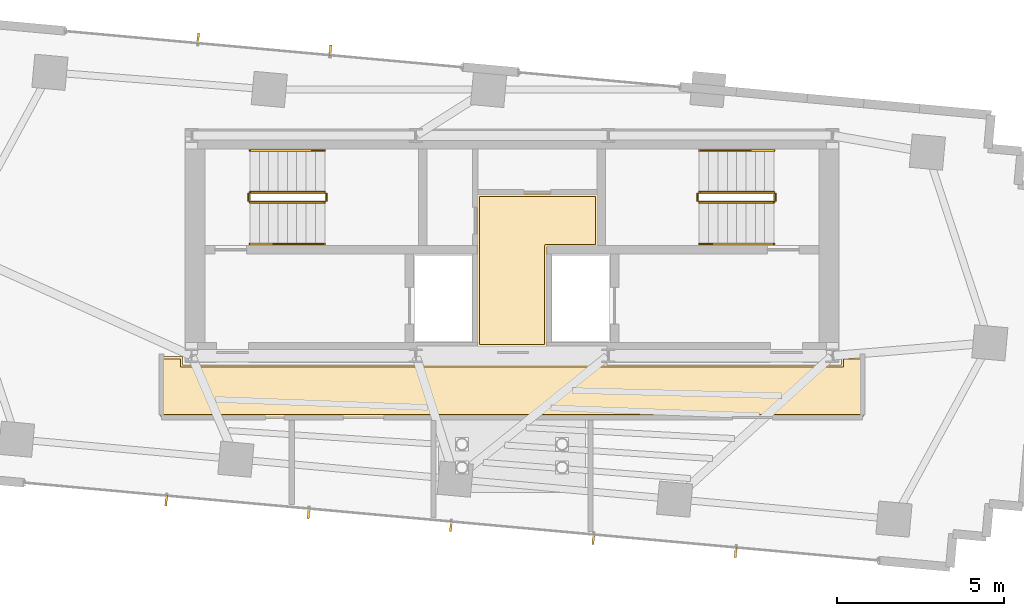
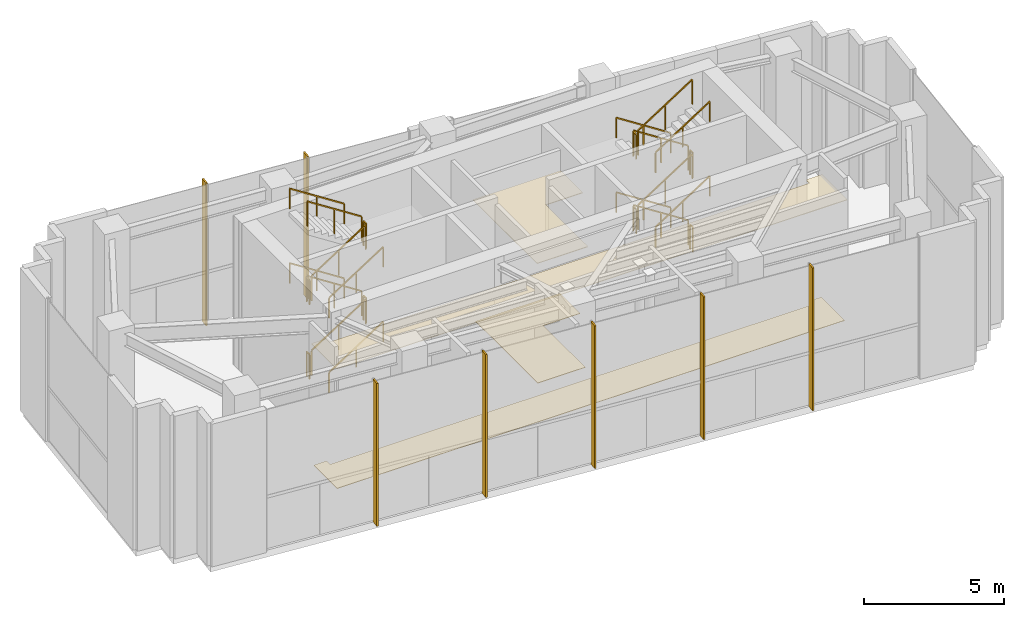
# One storey, part 14 of 14: 24 railings, 7 shading devices, 4 coverings.
"""IFC4 building model written with IfcOpenShell, lengths in metres."""

from ifc_helpers import new_model, si_unit, direction, frame, origin, origin_2d, place, context, subcontext, project, spatial, polyline, rectangle, outline, extrude, source, transform, mapped, material, layer, layer_set, type_object, type_shapes, element, save


model = new_model("IFC4")

# Units and contexts
model_context = context("Model", 3, precision=1e-05, world=origin(), true_north=direction((0.0, 1.0)))
body_context = subcontext(model_context, "Body", "Model", "MODEL_VIEW")
ifc_project = project(units=[si_unit("LENGTHUNIT", "METRE"), si_unit("AREAUNIT", "SQUARE_METRE"), si_unit("VOLUMEUNIT", "CUBIC_METRE"), si_unit("PLANEANGLEUNIT", "RADIAN"), si_unit("MASSUNIT", "GRAM", prefix="KILO")], contexts=[model_context])

# Site, building, storey
site_placement = place(None, origin())
site = spatial("IfcSite", under=ifc_project, at=site_placement, CompositionType="ELEMENT")
building_placement = place(site_placement, origin())
building = spatial("IfcBuilding", under=site, at=building_placement, Name="Astriad Promenade Condominiums", CompositionType="ELEMENT")
storey_placement = place(building_placement, frame((0.0, 0.0, 270.800048828125)))
storey = spatial("IfcBuildingStorey", under=building, at=storey_placement, Name="L77", CompositionType="ELEMENT", Elevation=270.800048828125)

# Coverings
ifc_material_1 = material(Name="Mineral-Fibre Acoustic Ceiling Tile")
ifc_layer_1 = layer(ifc_material_1, 0.02490234375)
ifc_layer_set_1 = layer_set([ifc_layer_1], Name="Mineral-Fibre Acoustic Ceiling Tile")
covering_type_1 = type_object("IfcCoveringType", Name="COV-CEIL-ACOUSTIC-25", PredefinedType="CEILING", material=ifc_layer_set_1)
covering_1_placement = place(storey_placement, frame((0.0, 0.0, 5.27490234375)))
element("IfcCovering", 1, at=covering_1_placement, inside=storey, type_object=covering_type_1, Name="CEIL-L77-CSL", PredefinedType="CEILING", context=body_context, shape_type="SweptSolid", body=[
    extrude(outline(polyline([(37.050048828125, 17.699951171875), (37.0498046875, 17.697021484375), (37.04931640625, 17.694091796875), (37.048583984375, 17.69140625), (37.047607421875, 17.6884765625), (37.04638671875, 17.685791015625), (37.044921875, 17.683349609375), (37.043212890625, 17.680908203125), (37.041259765625, 17.6787109375), (37.0390625, 17.6767578125), (37.03662109375, 17.675048828125), (37.0341796875, 17.673583984375), (37.031494140625, 17.67236328125), (37.02880859375, 17.67138671875), (37.02587890625, 17.670654296875), (37.02294921875, 17.670166015625), (37.02001953125, 17.669921875), (34.97998046875, 17.669921875), (34.97705078125, 17.670166015625), (34.97412109375, 17.670654296875), (34.97119140625, 17.67138671875), (34.968505859375, 17.67236328125), (34.9658203125, 17.673583984375), (34.96337890625, 17.675048828125), (34.9609375, 17.6767578125), (34.958740234375, 17.6787109375), (34.956787109375, 17.680908203125), (34.955078125, 17.683349609375), (34.95361328125, 17.685791015625), (34.952392578125, 17.6884765625), (34.951416015625, 17.69140625), (34.95068359375, 17.694091796875), (34.9501953125, 17.697021484375), (34.949951171875, 17.699951171875), (34.949951171875, 22.219970703125), (34.9501953125, 22.222900390625), (34.95068359375, 22.225830078125), (34.951416015625, 22.228759765625), (34.952392578125, 22.2314453125), (34.95361328125, 22.234130859375), (34.955078125, 22.23681640625), (34.956787109375, 22.239013671875), (34.958740234375, 22.2412109375), (34.9609375, 22.2431640625), (34.96337890625, 22.244873046875), (34.9658203125, 22.24658203125), (34.968505859375, 22.247802734375), (34.97119140625, 22.248779296875), (34.97412109375, 22.24951171875), (34.97705078125, 22.25), (34.97998046875, 22.25), (38.5400390625, 22.25), (38.54296875, 22.25), (38.5458984375, 22.24951171875), (38.548583984375, 22.248779296875), (38.551513671875, 22.247802734375), (38.55419921875, 22.24658203125), (38.556640625, 22.244873046875), (38.55908203125, 22.2431640625), (38.561279296875, 22.2412109375), (38.563232421875, 22.239013671875), (38.56494140625, 22.23681640625), (38.56640625, 22.234130859375), (38.567626953125, 22.2314453125), (38.568603515625, 22.228759765625), (38.5693359375, 22.225830078125), (38.56982421875, 22.222900390625), (38.570068359375, 22.219970703125), (38.570068359375, 20.699951171875), (38.56982421875, 20.697021484375), (38.5693359375, 20.694091796875), (38.568603515625, 20.69140625), (38.567626953125, 20.6884765625), (38.56640625, 20.685791015625), (38.56494140625, 20.683349609375), (38.563232421875, 20.680908203125), (38.561279296875, 20.6787109375), (38.55908203125, 20.6767578125), (38.556640625, 20.675048828125), (38.55419921875, 20.673583984375), (38.551513671875, 20.67236328125), (38.548583984375, 20.67138671875), (38.5458984375, 20.670654296875), (38.54296875, 20.670166015625), (38.5400390625, 20.669921875), (37.050048828125, 20.669921875), (37.050048828125, 17.699951171875)])), origin(), (0.0, 0.0, 1.0), 0.025146484375),
])
covering_2_placement = place(storey_placement, frame((0.0, 0.0, 5.27490234375)))
element("IfcCovering", 2, at=covering_2_placement, inside=storey, type_object=covering_type_1, Name="CEIL-L77-COR", PredefinedType="CEILING", context=body_context, shape_type="SweptSolid", body=[
    extrude(outline(polyline([(26.1298828125, 17.1298828125), (45.8701171875, 17.1298828125), (45.8701171875, 17.35009765625), (45.8701171875, 17.352783203125), (45.87060546875, 17.35595703125), (45.871337890625, 17.358642578125), (45.872314453125, 17.361572265625), (45.87353515625, 17.364013671875), (45.875, 17.36669921875), (45.876708984375, 17.368896484375), (45.87890625, 17.37109375), (45.881103515625, 17.373291015625), (45.88330078125, 17.375), (45.885986328125, 17.37646484375), (45.888427734375, 17.377685546875), (45.891357421875, 17.378662109375), (45.89404296875, 17.37939453125), (45.897216796875, 17.3798828125), (45.89990234375, 17.3798828125), (46.5, 17.3798828125), (46.5029296875, 17.3798828125), (46.505859375, 17.37939453125), (46.5087890625, 17.378662109375), (46.511474609375, 17.377685546875), (46.51416015625, 17.37646484375), (46.5166015625, 17.375), (46.51904296875, 17.373291015625), (46.521240234375, 17.37109375), (46.523193359375, 17.368896484375), (46.52490234375, 17.36669921875), (46.526611328125, 17.364013671875), (46.527587890625, 17.361572265625), (46.52880859375, 17.358642578125), (46.529296875, 17.35595703125), (46.52978515625, 17.352783203125), (46.530029296875, 17.35009765625), (46.530029296875, 15.60009765625), (46.52978515625, 15.59716796875), (46.529296875, 15.593994140625), (46.52880859375, 15.59130859375), (46.527587890625, 15.58837890625), (46.526611328125, 15.5859375), (46.52490234375, 15.583251953125), (46.523193359375, 15.5810546875), (46.521240234375, 15.578857421875), (46.51904296875, 15.576904296875), (46.5166015625, 15.5751953125), (46.51416015625, 15.573486328125), (46.511474609375, 15.572265625), (46.5087890625, 15.5712890625), (46.505859375, 15.570556640625), (46.5029296875, 15.570068359375), (46.5, 15.570068359375), (25.5, 15.570068359375), (25.4970703125, 15.570068359375), (25.494140625, 15.570556640625), (25.4912109375, 15.5712890625), (25.488525390625, 15.572265625), (25.48583984375, 15.573486328125), (25.4833984375, 15.5751953125), (25.48095703125, 15.576904296875), (25.478759765625, 15.578857421875), (25.476806640625, 15.5810546875), (25.47509765625, 15.583251953125), (25.473388671875, 15.5859375), (25.472412109375, 15.58837890625), (25.47119140625, 15.59130859375), (25.470703125, 15.593994140625), (25.47021484375, 15.59716796875), (25.469970703125, 15.60009765625), (25.469970703125, 17.35009765625), (25.47021484375, 17.352783203125), (25.470703125, 17.35595703125), (25.47119140625, 17.358642578125), (25.472412109375, 17.361572265625), (25.473388671875, 17.364013671875), (25.47509765625, 17.36669921875), (25.476806640625, 17.368896484375), (25.478759765625, 17.37109375), (25.48095703125, 17.373291015625), (25.4833984375, 17.375), (25.48583984375, 17.37646484375), (25.488525390625, 17.377685546875), (25.4912109375, 17.378662109375), (25.494140625, 17.37939453125), (25.4970703125, 17.3798828125), (25.5, 17.3798828125), (26.10009765625, 17.3798828125), (26.102783203125, 17.3798828125), (26.10595703125, 17.37939453125), (26.108642578125, 17.378662109375), (26.111572265625, 17.377685546875), (26.114013671875, 17.37646484375), (26.11669921875, 17.375), (26.118896484375, 17.373291015625), (26.12109375, 17.37109375), (26.123291015625, 17.368896484375), (26.125, 17.36669921875), (26.12646484375, 17.364013671875), (26.127685546875, 17.361572265625), (26.128662109375, 17.358642578125), (26.12939453125, 17.35595703125), (26.1298828125, 17.352783203125), (26.1298828125, 17.35009765625), (26.1298828125, 17.1298828125)])), origin(), (0.0, 0.0, 1.0), 0.025146484375),
])
ifc_material_2 = material(Name="Polished Lakefront Terrazzo Flooring")
ifc_layer_2 = layer(ifc_material_2, 0.02001953125)
ifc_layer_set_2 = layer_set([ifc_layer_2], Name="Polished Lakefront Terrazzo Flooring")
covering_type_2 = type_object("IfcCoveringType", Name="COV-FLOR-TERRAZZO-20", PredefinedType="FLOORING", material=ifc_layer_set_2)
covering_3_placement = place(storey_placement, origin())
element("IfcCovering", 3, at=covering_3_placement, inside=storey, type_object=covering_type_2, Name="FLR-L77-CSL", PredefinedType="FLOORING", context=body_context, shape_type="SweptSolid", body=[
    extrude(outline(polyline([(36.97998046875, 20.699951171875), (36.97998046875, 17.739990234375), (35.02001953125, 17.739990234375), (35.02001953125, 22.179931640625), (38.5, 22.179931640625), (38.5, 20.739990234375), (37.02001953125, 20.739990234375), (37.01611328125, 20.73974609375), (37.01220703125, 20.7392578125), (37.00830078125, 20.73828125), (37.004638671875, 20.737060546875), (37.001220703125, 20.7353515625), (36.997802734375, 20.7333984375), (36.99462890625, 20.73095703125), (36.99169921875, 20.728271484375), (36.989013671875, 20.725341796875), (36.98681640625, 20.72216796875), (36.984619140625, 20.718994140625), (36.98291015625, 20.71533203125), (36.981689453125, 20.711669921875), (36.980712890625, 20.707763671875), (36.980224609375, 20.703857421875), (36.97998046875, 20.699951171875)])), origin(), (0.0, 0.0, 1.0), 0.02001953125),
])
covering_4_placement = place(storey_placement, origin())
element("IfcCovering", 4, at=covering_4_placement, inside=storey, type_object=covering_type_2, Name="FLR-L77-COR", PredefinedType="FLOORING", context=body_context, shape_type="SweptSolid", body=[
    extrude(outline(polyline([(26.06005859375, 17.31005859375), (26.06005859375, 17.10009765625), (26.060302734375, 17.09619140625), (26.060791015625, 17.09228515625), (26.061767578125, 17.08837890625), (26.06298828125, 17.084716796875), (26.064697265625, 17.0810546875), (26.066650390625, 17.077880859375), (26.069091796875, 17.07470703125), (26.07177734375, 17.07177734375), (26.07470703125, 17.069091796875), (26.077880859375, 17.066650390625), (26.0810546875, 17.064697265625), (26.084716796875, 17.06298828125), (26.08837890625, 17.061767578125), (26.09228515625, 17.060791015625), (26.09619140625, 17.060302734375), (26.10009765625, 17.06005859375), (45.89990234375, 17.06005859375), (45.90380859375, 17.060302734375), (45.90771484375, 17.060791015625), (45.91162109375, 17.061767578125), (45.915283203125, 17.06298828125), (45.9189453125, 17.064697265625), (45.922119140625, 17.066650390625), (45.92529296875, 17.069091796875), (45.92822265625, 17.07177734375), (45.930908203125, 17.07470703125), (45.933349609375, 17.077880859375), (45.935302734375, 17.0810546875), (45.93701171875, 17.084716796875), (45.938232421875, 17.08837890625), (45.939208984375, 17.09228515625), (45.939697265625, 17.09619140625), (45.93994140625, 17.10009765625), (45.93994140625, 17.31005859375), (46.4599609375, 17.31005859375), (46.4599609375, 15.639892578125), (25.5400390625, 15.639892578125), (25.5400390625, 17.31005859375), (26.06005859375, 17.31005859375)])), origin(), (0.0, 0.0, 1.0), 0.02001953125),
])

# Shading devices
ifc_material_3 = material(Name="Anodised aluminium 6063-T6 Black Fin", Category="aluminium")
shading_device_type = type_object("IfcShadingDeviceType", Name="FIN-BLACK-260", PredefinedType="USERDEFINED", material=ifc_material_3)
shared_shape_1 = source(origin(), body_context, "Body", "SweptSolid", [
    extrude(rectangle(XDim=0.06494140625, YDim=0.320068359375, at=origin_2d()), origin(), (0.0, 0.0, 1.0), 6.219970703125),
])
type_shapes(shading_device_type, [shared_shape_1])
for number, where, z_axis, x_axis, name in (
    (5, (26.594970703125, 26.915283203125, 0.0), (0.0, 0.0, 1.0), (0.995884398616, -0.090632580198, 0.0), "CW-LNT-L77-08-1-FIN-01"),
    (6, (30.557861328125, 26.5546875, 0.0), (0.0, 0.0, 1.0), (0.995884398616, -0.090632580198, 0.0), "CW-LNT-L77-08-1-FIN-02"),
    (7, (42.702392578125, 11.51220703125, 0.0), (0.0, 0.0, 1.0), (-0.995884398616, 0.090632580198, 0.0), "CW-LNT-L77-18-1-FIN-01"),
    (8, (38.436767578125, 11.900390625, 0.0), (0.0, 0.0, 1.0), (-0.995884398616, 0.090632580198, 0.0), "CW-LNT-L77-18-1-FIN-02"),
    (9, (34.1708984375, 12.288818359375, 0.0), (0.0, 0.0, 1.0), (-0.995884398616, 0.090632580198, 0.0), "CW-LNT-L77-18-1-FIN-03"),
    (10, (29.9052734375, 12.677001953125, 0.0), (0.0, 0.0, 1.0), (-0.995884398616, 0.090632580198, 0.0), "CW-LNT-L77-18-1-FIN-04"),
    (11, (25.639404296875, 13.065185546875, 0.0), (0.0, 0.0, 1.0), (-0.995884398616, 0.090632580198, 0.0), "CW-LNT-L77-18-1-FIN-05"),
):
    element("IfcShadingDevice", number, at=place(storey_placement, frame(where, z_axis=z_axis, x_axis=x_axis)), inside=storey, type_object=shading_device_type, Name=name, ObjectType="FIN", PredefinedType="USERDEFINED", context=body_context, shape_type="MappedRepresentation", body=[
        mapped(shared_shape_1, transform((0.0, 0.0, 0.0), scale=1.0)),
    ])

# Railings
ifc_material_4 = material(Name="Painted Galvanised Steel Guardrail", Category="steel")
railing_type_1 = type_object("IfcRailingType", Name="GRD-STAIR-1100", PredefinedType="GUARDRAIL", material=ifc_material_4)
shared_shape_2 = source(origin(), body_context, "Body", "SweptSolid", [
    extrude(rectangle(XDim=0.048095703125, YDim=0.048095703125, at=origin_2d()), frame((0.0, 0.0, 1.076171875), z_axis=(0.0, 1.0, 0.0), x_axis=(-1.0, 0.0, 0.0)), (0.0, 0.0, 1.0), 0.199951171875),
    extrude(rectangle(XDim=0.0419921875, YDim=0.0419921875, at=origin_2d()), origin(), (0.0, 0.0, 1.0), 1.052001953125),
    extrude(rectangle(XDim=0.0419921875, YDim=0.0419921875, at=origin_2d()), frame((0.0, 0.199951171875, 0.0)), (0.0, 0.0, 1.0), 1.052001953125),
])
for number, where, name in (
    (12, (30.43994140625, 22.050048828125, 1.625), "L77 ST-1 stair guard 2"),
    (13, (28.10009765625, 22.050048828125, 3.25), "L77 ST-1 stair guard 4"),
    (14, (30.43994140625, 22.050048828125, 4.875), "L77 ST-1 stair guard 6"),
    (15, (28.10009765625, 22.050048828125, 0.0), "L77 ST-1 stair guard 8"),
):
    element("IfcRailing", number, at=place(storey_placement, frame(where)), inside=storey, type_object=railing_type_1, Name=name, PredefinedType="GUARDRAIL", context=body_context, shape_type="MappedRepresentation", body=[
        mapped(shared_shape_2, transform((0.0, 0.0, 0.0), scale=1.0)),
    ])
shared_shape_3 = source(origin(), body_context, "Body", "SweptSolid", [
    extrude(rectangle(XDim=0.048095703125, YDim=0.048095703125, at=origin_2d()), frame((0.0, 0.0, 1.076171875), z_axis=(0.840394893359, 0.0, 0.541974559565), x_axis=(0.0, 1.0, 0.0)), (0.0, 0.0, 1.0), 2.665283203125),
    extrude(rectangle(XDim=0.0419921875, YDim=0.0419921875, at=origin_2d()), origin(), (0.0, 0.0, 1.0), 1.052001953125),
    extrude(rectangle(XDim=0.0419921875, YDim=0.0419921875, at=origin_2d()), frame((1.1201171875, 0.0, 0.72216796875)), (0.0, 0.0, 1.0), 1.052001953125),
    extrude(rectangle(XDim=0.0419921875, YDim=0.0419921875, at=origin_2d()), frame((2.239990234375, 0.0, 1.444580078125)), (0.0, 0.0, 1.0), 1.052001953125),
])
for number, where, name in (
    (16, (28.14990234375, 22.0, 0.180419921875), "L77 ST-1 stair guard 1"),
    (17, (28.14990234375, 22.0, 3.430419921875), "L77 ST-1 stair guard 5"),
    (18, (41.610107421875, 22.0, 1.805419921875), "L77 ST-2 stair guard 3"),
    (19, (41.610107421875, 22.0, 5.055419921875), "L77 ST-2 stair guard 7"),
):
    element("IfcRailing", number, at=place(storey_placement, frame(where)), inside=storey, type_object=railing_type_1, Name=name, PredefinedType="GUARDRAIL", context=body_context, shape_type="MappedRepresentation", body=[
        mapped(shared_shape_3, transform((0.0, 0.0, 0.0), scale=1.0)),
    ])
shared_shape_4 = source(origin(), body_context, "Body", "SweptSolid", [
    extrude(rectangle(XDim=0.048095703125, YDim=0.048095703125, at=origin_2d()), frame((0.0, 0.0, 1.076171875), z_axis=(-0.840394893359, 0.0, 0.541974559565), x_axis=(0.0, -1.0, 0.0)), (0.0, 0.0, 1.0), 2.665283203125),
    extrude(rectangle(XDim=0.0419921875, YDim=0.0419921875, at=origin_2d()), origin(), (0.0, 0.0, 1.0), 1.052001953125),
    extrude(rectangle(XDim=0.0419921875, YDim=0.0419921875, at=origin_2d()), frame((-1.1201171875, 0.0, 0.72216796875)), (0.0, 0.0, 1.0), 1.052001953125),
    extrude(rectangle(XDim=0.0419921875, YDim=0.0419921875, at=origin_2d()), frame((-2.239990234375, 0.0, 1.444580078125)), (0.0, 0.0, 1.0), 1.052001953125),
])
for number, where, name in (
    (20, (30.389892578125, 22.300048828125, 1.805419921875), "L77 ST-1 stair guard 3"),
    (21, (30.389892578125, 22.300048828125, 5.055419921875), "L77 ST-1 stair guard 7"),
    (22, (43.85009765625, 22.300048828125, 0.180419921875), "L77 ST-2 stair guard 1"),
    (23, (43.85009765625, 22.300048828125, 3.430419921875), "L77 ST-2 stair guard 5"),
):
    element("IfcRailing", number, at=place(storey_placement, frame(where)), inside=storey, type_object=railing_type_1, Name=name, PredefinedType="GUARDRAIL", context=body_context, shape_type="MappedRepresentation", body=[
        mapped(shared_shape_4, transform((0.0, 0.0, 0.0), scale=1.0)),
    ])
ifc_material_5 = material(Name="Brushed Stainless Steel Handrail", Category="steel")
railing_type_2 = type_object("IfcRailingType", Name="HRL-STAIR-920", PredefinedType="HANDRAIL", material=ifc_material_5)
shared_shape_5 = source(origin(), body_context, "Body", "SweptSolid", [
    extrude(rectangle(XDim=0.048095703125, YDim=0.048095703125, at=origin_2d()), frame((0.0, 0.0, 0.8759765625), z_axis=(0.840394893359, 0.0, 0.541974559565), x_axis=(0.0, 1.0, 0.0)), (0.0, 0.0, 1.0), 2.665283203125),
    extrude(rectangle(XDim=0.0419921875, YDim=0.0419921875, at=origin_2d()), origin(), (0.0, 0.0, 1.0), 0.851806640625),
    extrude(rectangle(XDim=0.0419921875, YDim=0.0419921875, at=origin_2d()), frame((1.1201171875, 0.0, 0.72216796875)), (0.0, 0.0, 1.0), 0.851806640625),
    extrude(rectangle(XDim=0.0419921875, YDim=0.0419921875, at=origin_2d()), frame((2.239990234375, 0.0, 1.444580078125)), (0.0, 0.0, 1.0), 0.851806640625),
])
for number, where, name in (
    (24, (28.14990234375, 20.75, 0.180419921875), "L77 ST-1 stair handrail 1"),
    (25, (28.14990234375, 20.75, 3.430419921875), "L77 ST-1 stair handrail 3"),
    (26, (41.610107421875, 20.75, 1.805419921875), "L77 ST-2 stair handrail 2"),
    (27, (41.610107421875, 20.75, 5.055419921875), "L77 ST-2 stair handrail 4"),
):
    element("IfcRailing", number, at=place(storey_placement, frame(where)), inside=storey, type_object=railing_type_2, Name=name, PredefinedType="HANDRAIL", context=body_context, shape_type="MappedRepresentation", body=[
        mapped(shared_shape_5, transform((0.0, 0.0, 0.0), scale=1.0)),
    ])
shared_shape_6 = source(origin(), body_context, "Body", "SweptSolid", [
    extrude(rectangle(XDim=0.048095703125, YDim=0.048095703125, at=origin_2d()), frame((0.0, 0.0, 0.8759765625), z_axis=(-0.840394893359, 0.0, 0.541974559565), x_axis=(0.0, -1.0, 0.0)), (0.0, 0.0, 1.0), 2.665283203125),
    extrude(rectangle(XDim=0.0419921875, YDim=0.0419921875, at=origin_2d()), origin(), (0.0, 0.0, 1.0), 0.851806640625),
    extrude(rectangle(XDim=0.0419921875, YDim=0.0419921875, at=origin_2d()), frame((-1.1201171875, 0.0, 0.72216796875)), (0.0, 0.0, 1.0), 0.851806640625),
    extrude(rectangle(XDim=0.0419921875, YDim=0.0419921875, at=origin_2d()), frame((-2.239990234375, 0.0, 1.444580078125)), (0.0, 0.0, 1.0), 0.851806640625),
])
type_shapes(railing_type_2, [shared_shape_5, shared_shape_6])
for number, where, name in (
    (28, (30.389892578125, 23.550048828125, 1.805419921875), "L77 ST-1 stair handrail 2"),
    (29, (30.389892578125, 23.550048828125, 5.055419921875), "L77 ST-1 stair handrail 4"),
    (30, (43.85009765625, 23.550048828125, 0.180419921875), "L77 ST-2 stair handrail 1"),
    (31, (43.85009765625, 23.550048828125, 3.430419921875), "L77 ST-2 stair handrail 3"),
):
    element("IfcRailing", number, at=place(storey_placement, frame(where)), inside=storey, type_object=railing_type_2, Name=name, PredefinedType="HANDRAIL", context=body_context, shape_type="MappedRepresentation", body=[
        mapped(shared_shape_6, transform((0.0, 0.0, 0.0), scale=1.0)),
    ])
shared_shape_7 = source(origin(), body_context, "Body", "SweptSolid", [
    extrude(rectangle(XDim=0.048095703125, YDim=0.048095703125, at=origin_2d()), frame((0.0, 0.0, 1.076171875), z_axis=(0.0, -1.0, 0.0), x_axis=(1.0, 0.0, 0.0)), (0.0, 0.0, 1.0), 0.199951171875),
    extrude(rectangle(XDim=0.0419921875, YDim=0.0419921875, at=origin_2d()), origin(), (0.0, 0.0, 1.0), 1.052001953125),
    extrude(rectangle(XDim=0.0419921875, YDim=0.0419921875, at=origin_2d()), frame((0.0, -0.199951171875, 0.0)), (0.0, 0.0, 1.0), 1.052001953125),
])
type_shapes(railing_type_1, [shared_shape_2, shared_shape_3, shared_shape_4, shared_shape_7])
for number, where, name in (
    (32, (41.56005859375, 22.25, 1.625), "L77 ST-2 stair guard 2"),
    (33, (43.89990234375, 22.25, 3.25), "L77 ST-2 stair guard 4"),
    (34, (41.56005859375, 22.25, 4.875), "L77 ST-2 stair guard 6"),
    (35, (43.89990234375, 22.25, 0.0), "L77 ST-2 stair guard 8"),
):
    element("IfcRailing", number, at=place(storey_placement, frame(where)), inside=storey, type_object=railing_type_1, Name=name, PredefinedType="GUARDRAIL", context=body_context, shape_type="MappedRepresentation", body=[
        mapped(shared_shape_7, transform((0.0, 0.0, 0.0), scale=1.0)),
    ])

save(model, "model.ifc")
